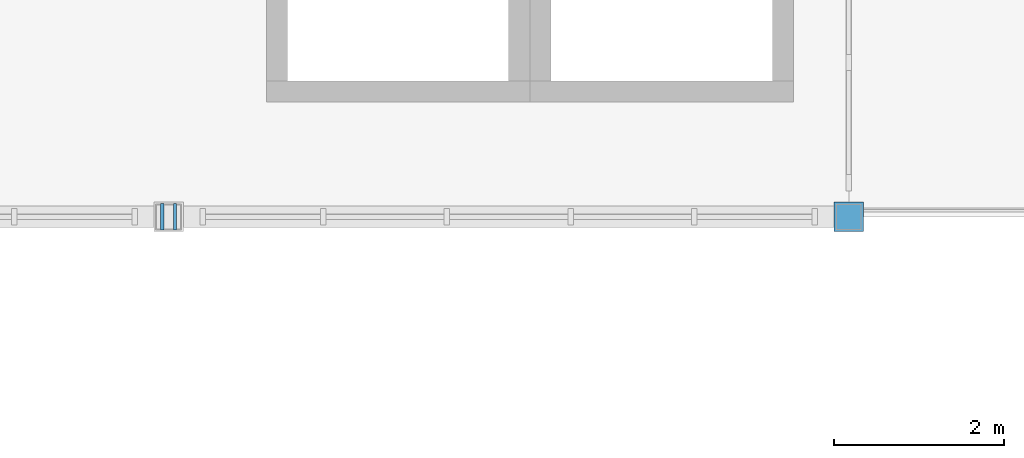
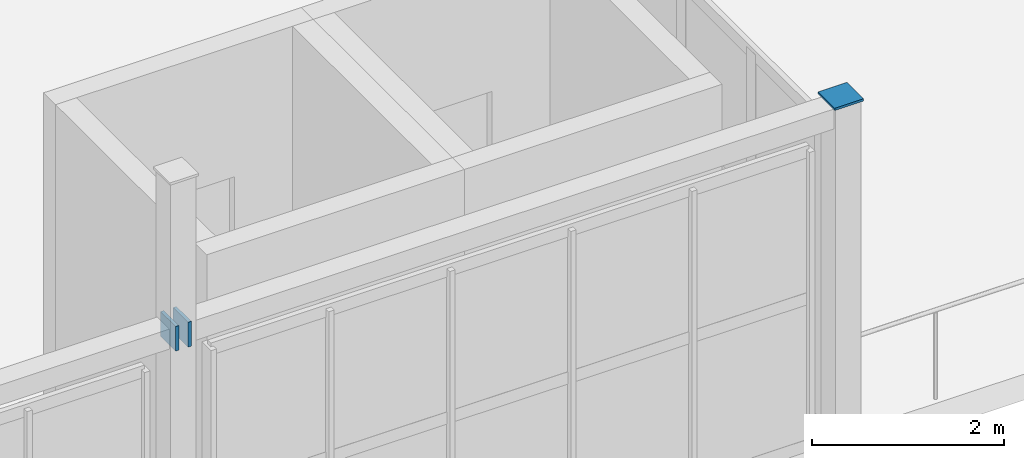
# One storey, part 64 of 83: 3 discrete accessories.
"""IFC4 building model written with IfcOpenShell, lengths in metres."""

from ifc_helpers import new_model, si_unit, direction, frame, origin, origin_2d, place, context, subcontext, project, spatial, rectangle, extrude, material, type_object, element, save


model = new_model("IFC4")

# Units and contexts
model_context = context("Model", 3, precision=1e-05, world=origin(), true_north=direction((0.0, 1.0)))
body_context = subcontext(model_context, "Body", "Model", "MODEL_VIEW")
ifc_project = project(units=[si_unit("LENGTHUNIT", "METRE"), si_unit("AREAUNIT", "SQUARE_METRE"), si_unit("VOLUMEUNIT", "CUBIC_METRE"), si_unit("PLANEANGLEUNIT", "RADIAN"), si_unit("MASSUNIT", "GRAM", prefix="KILO")], contexts=[model_context])

# Site, building, storey
site_placement = place(None, origin())
site = spatial("IfcSite", under=ifc_project, at=site_placement, CompositionType="ELEMENT")
building_placement = place(site_placement, origin())
building = spatial("IfcBuilding", under=site, at=building_placement, Name="Drelvath Fold Interchange", CompositionType="ELEMENT")
storey_placement = place(building_placement, frame((0.0, 0.0, 11.199951171875)))
storey = spatial("IfcBuildingStorey", under=building, at=storey_placement, Name="L02", CompositionType="ELEMENT", Elevation=11.199951171875)

# Discrete accessories
ifc_material = material(Name="Steel ASTM A572 Grade 50", Category="steel")
discrete_accessory_type = type_object("IfcDiscreteAccessoryType", Name="AC-CAP380", PredefinedType="BRACKET", material=ifc_material)
discrete_accessory_placement = place(storey_placement, frame((84.0, 59.0, 4.2900390625), z_axis=(0.0, 0.0, 1.0), x_axis=(1.0, 0.0, 0.0)))
element("IfcDiscreteAccessory", 1, at=discrete_accessory_placement, inside=storey, type_object=discrete_accessory_type, Name="Welded hollow column end cap 87", PredefinedType="BRACKET", context=body_context, shape_type="SweptSolid", body=[
    extrude(rectangle(XDim=0.344970703125, YDim=0.344970703125, at=origin_2d()), origin(), (0.0, 0.0, 1.0), 0.030029296875),
])
for number, where, z_axis, x_axis, name in (
    (2, (75.925048828125, 59.0, 3.9931640625), (0.0, 0.0, 1.0), (1.0, 0.0, 0.0), "Welded hollow member end cap 469"),
    (3, (76.074951171875, 59.0, 3.9931640625), (0.0, 0.0, 1.0), (1.0, 0.0, 0.0), "Welded hollow member end cap 494"),
):
    element("IfcDiscreteAccessory", number, at=place(storey_placement, frame(where, z_axis=z_axis, x_axis=x_axis)), inside=storey, type_object=discrete_accessory_type, Name=name, PredefinedType="BRACKET", context=body_context, shape_type="SweptSolid", body=[
        extrude(rectangle(XDim=0.0400390625, YDim=0.31396484375, at=origin_2d()), origin(), (0.0, 0.0, 1.0), 0.31396484375),
    ])

save(model, "model.ifc")
